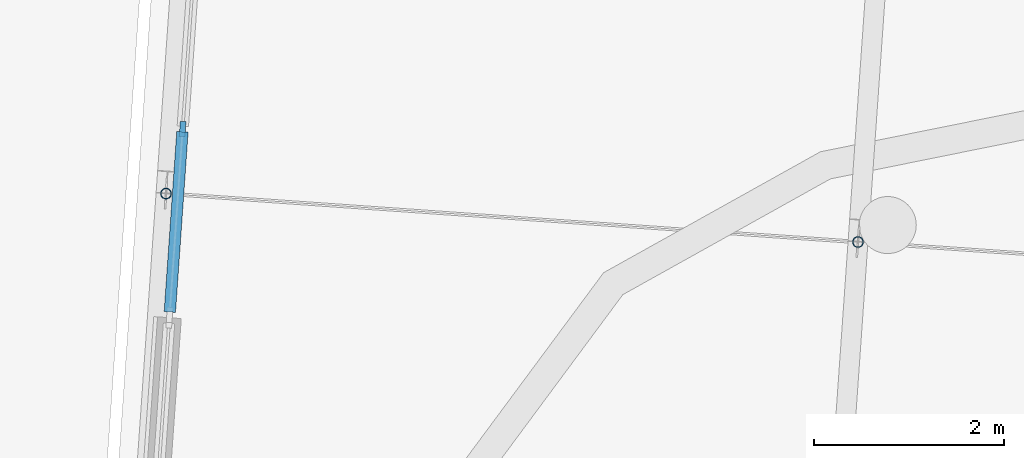
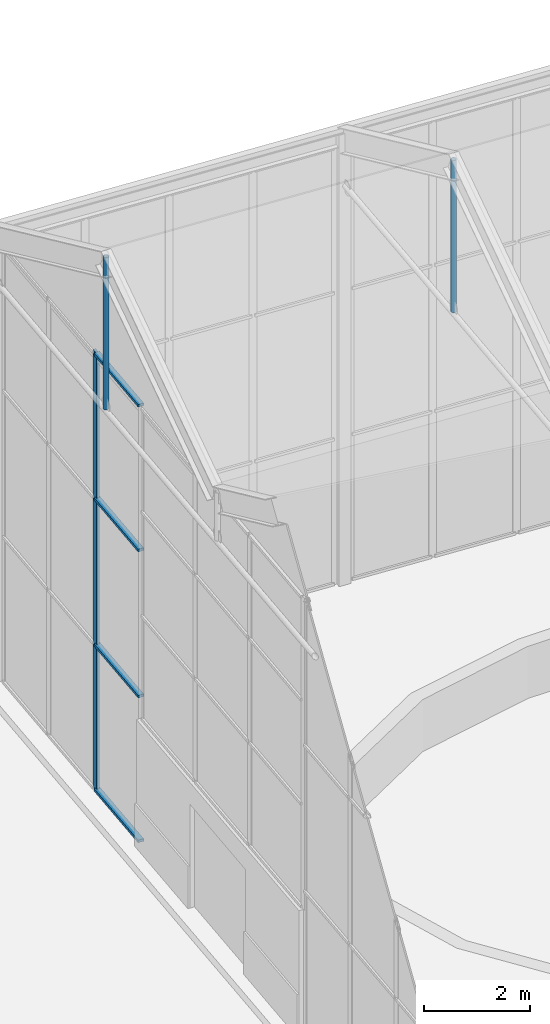
# One storey, part 58 of 157: 7 members, 1 element without a shape of its own.
"""IFC4 building model written with IfcOpenShell, lengths in metres."""

from ifc_helpers import new_model, si_unit, direction, frame, origin, origin_2d, place, context, subcontext, project, spatial, rectangle, hollow_circle, extrude, material, material_profile, profile_set, type_object, element, aggregate, save


model = new_model("IFC4")

# Units and contexts
model_context = context("Model", 3, precision=1e-05, world=origin(), true_north=direction((0.0, 1.0)))
body_context = subcontext(model_context, "Body", "Model", "MODEL_VIEW")
ifc_project = project(units=[si_unit("LENGTHUNIT", "METRE"), si_unit("AREAUNIT", "SQUARE_METRE"), si_unit("VOLUMEUNIT", "CUBIC_METRE"), si_unit("PLANEANGLEUNIT", "RADIAN"), si_unit("MASSUNIT", "GRAM", prefix="KILO")], contexts=[model_context])

# Site, building, storey
site_placement = place(None, origin())
site = spatial("IfcSite", under=ifc_project, at=site_placement, CompositionType="ELEMENT")
building_placement = place(site_placement, origin())
building = spatial("IfcBuilding", under=site, at=building_placement, Name="Windward Yard Aquatics Centre", CompositionType="ELEMENT")
storey_placement = place(building_placement, origin())
storey = spatial("IfcBuildingStorey", under=building, at=storey_placement, Name="L00", CompositionType="ELEMENT", Elevation=0.0)

# Members
ifc_material_1 = material(Name="Steel S355", Category="steel")
ifc_material_profile_1 = material_profile(ifc_material_1, hollow_circle(Radius=0.05712890625, WallThickness=0.006103515625, at=origin_2d()), Name="CHS114x6")
ifc_profile_set_1 = profile_set([ifc_material_profile_1], Name="Steel S355")
member_type_1 = type_object("IfcMemberType", Name="W CHS114x6 post", PredefinedType="POST", material=ifc_profile_set_1)
for number, where, z_axis, x_axis, name in (
    (1, (72.855712890625, 133.748291015625, 9.25), (0.0, 0.0, 1.0), (1.0, 0.0, 0.0), "W.STRUT.1.2"),
    (2, (80.137939453125, 133.239013671875, 9.25), (0.0, 0.0, 1.0), (1.0, 0.0, 0.0), "W.STRUT.2.2"),
):
    element("IfcMember", number, at=place(storey_placement, frame(where, z_axis=z_axis, x_axis=x_axis)), inside=storey, type_object=member_type_1, Name=name, PredefinedType="POST", context=body_context, shape_type="SweptSolid", body=[
        extrude(hollow_circle(Radius=0.05712890625, WallThickness=0.006103515625, at=origin_2d()), origin(), (0.0, 0.0, 1.0), 3.510009765625),
    ])

# Curtain wall, members
ifc_material_2 = material(Name="Aluminium curtain wall system", Category="aluminium")
curtain_wall_type = type_object("IfcCurtainWallType", Name="W curtain wall 1900", PredefinedType="NOTDEFINED", material=ifc_material_2)
curtain_wall_placement = place(storey_placement, origin())
curtain_wall = element("IfcCurtainWall", 3, at=curtain_wall_placement, inside=storey, type_object=curtain_wall_type, Name="Wing west glazing L00 2", PredefinedType="NOTDEFINED")
ifc_material_3 = material(Name="Aluminium mullion", Category="aluminium")
ifc_material_profile_2 = material_profile(ifc_material_3, rectangle(XDim=0.06005859375, YDim=0.159912109375, at=origin_2d()), Name="AL 60x160")
ifc_profile_set_2 = profile_set([ifc_material_profile_2], Name="Aluminium mullion")
member_type_2 = type_object("IfcMemberType", Name="W CW mullion 60x160", PredefinedType="MULLION", material=ifc_profile_set_2)
member_1_placement = place(storey_placement, frame((73.030517578125, 134.4287109375, 0.0), z_axis=(0.0, 0.0, 1.0), x_axis=(-0.997564736506, 0.069746659268, 0.0)))
member_1 = element("IfcMember", 4, at=member_1_placement, type_object=member_type_2, Name="WCW1 mullion 2", PredefinedType="MULLION", context=body_context, shape_type="SweptSolid", body=[
    extrude(rectangle(XDim=0.06005859375, YDim=0.159912109375, at=origin_2d()), origin(), (0.0, 0.0, 1.0), 10.097900390625),
])
ifc_material_4 = material(Name="Aluminium transom", Category="aluminium")
ifc_material_profile_3 = material_profile(ifc_material_4, rectangle(XDim=0.1201171875, YDim=0.06005859375, at=origin_2d()), Name="AL 120x60")
ifc_profile_set_3 = profile_set([ifc_material_profile_3], Name="Aluminium transom")
member_type_3 = type_object("IfcMemberType", Name="W CW transom 120x60", PredefinedType="USERDEFINED", material=ifc_profile_set_3)
member_2_placement = place(storey_placement, frame((72.89599609375, 132.50244140625, 0.030029296875), z_axis=(0.069740938471, 0.99756513647, 0.0), x_axis=(-0.99756513647, 0.069740938471, 0.0)))
member_2 = element("IfcMember", 5, at=member_2_placement, type_object=member_type_3, Name="WCW1 transom 1.1", ObjectType="TRANSOM", PredefinedType="USERDEFINED", context=body_context, shape_type="SweptSolid", body=[
    extrude(rectangle(XDim=0.1201171875, YDim=0.06005859375, at=origin_2d()), origin(), (0.0, 0.0, 1.0), 1.90087890625),
])
member_3_placement = place(storey_placement, frame((72.89599609375, 132.50244140625, 3.365966796875), z_axis=(0.069740938471, 0.99756513647, 0.0), x_axis=(-0.99756513647, 0.069740938471, 0.0)))
member_3 = element("IfcMember", 6, at=member_3_placement, type_object=member_type_3, Name="WCW1 transom 1.2", ObjectType="TRANSOM", PredefinedType="USERDEFINED", context=body_context, shape_type="SweptSolid", body=[
    extrude(rectangle(XDim=0.1201171875, YDim=0.06005859375, at=origin_2d()), origin(), (0.0, 0.0, 1.0), 1.90087890625),
])
member_4_placement = place(storey_placement, frame((72.89599609375, 132.50244140625, 6.73193359375), z_axis=(0.069740938471, 0.99756513647, 0.0), x_axis=(-0.99756513647, 0.069740938471, 0.0)))
member_4 = element("IfcMember", 7, at=member_4_placement, type_object=member_type_3, Name="WCW1 transom 1.3", ObjectType="TRANSOM", PredefinedType="USERDEFINED", context=body_context, shape_type="SweptSolid", body=[
    extrude(rectangle(XDim=0.1201171875, YDim=0.06005859375, at=origin_2d()), origin(), (0.0, 0.0, 1.0), 1.90087890625),
])
member_5_placement = place(storey_placement, frame((72.89599609375, 132.50244140625, 10.068115234375), z_axis=(0.069740938471, 0.99756513647, 0.0), x_axis=(-0.99756513647, 0.069740938471, 0.0)))
member_5 = element("IfcMember", 8, at=member_5_placement, type_object=member_type_3, Name="WCW1 transom 1.4", ObjectType="TRANSOM", PredefinedType="USERDEFINED", context=body_context, shape_type="SweptSolid", body=[
    extrude(rectangle(XDim=0.1201171875, YDim=0.06005859375, at=origin_2d()), origin(), (0.0, 0.0, 1.0), 1.90087890625),
])
aggregate(curtain_wall, [member_1, member_2, member_3, member_4, member_5])

save(model, "model.ifc")
